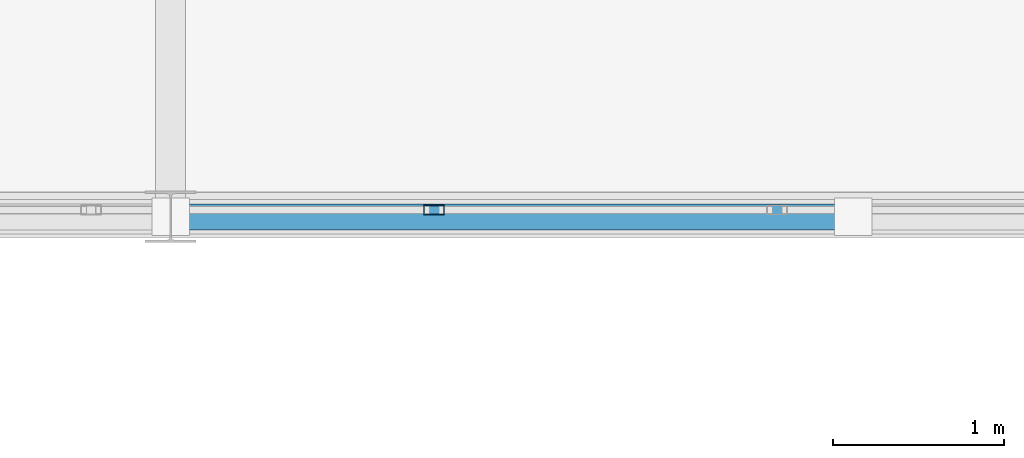
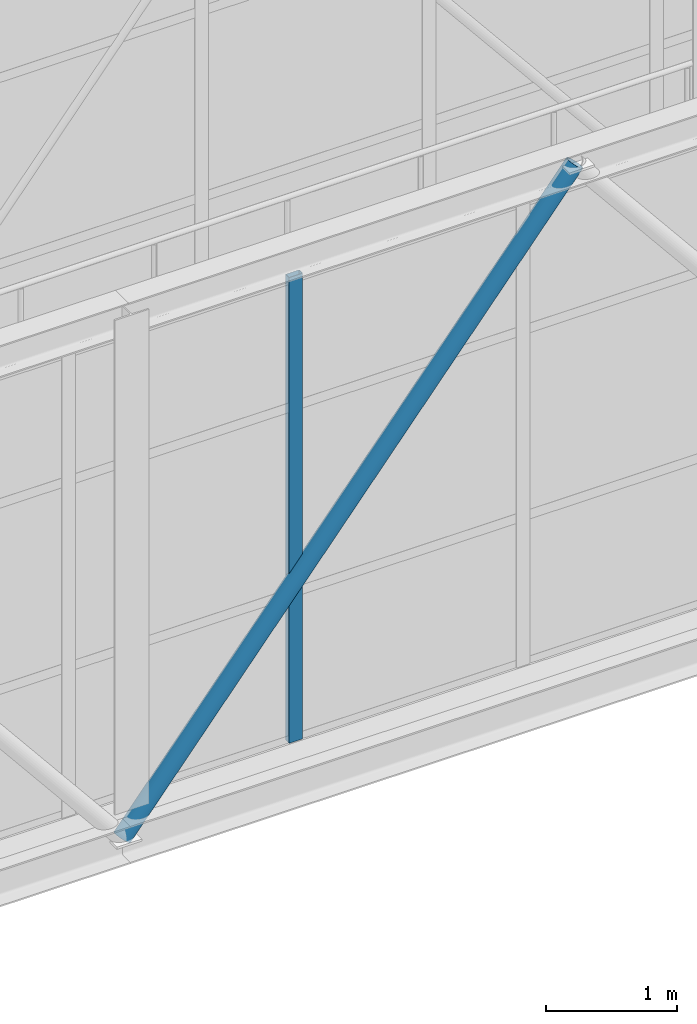
# One storey, part 91 of 248: 2 members, 1 element without a shape of its own.
"""IFC4 building model written with IfcOpenShell, lengths in metres."""

from ifc_helpers import new_model, si_unit, direction, frame, origin, origin_2d, place, context, subcontext, project, spatial, hollow_rectangle, hollow_circle, extrude, material, layer, layer_set, material_profile, profile_set, type_object, element, aggregate, save


model = new_model("IFC4")

# Units and contexts
model_context = context("Model", 3, precision=1e-05, world=origin(), true_north=direction((0.0, 1.0)))
body_context = subcontext(model_context, "Body", "Model", "MODEL_VIEW")
ifc_project = project(units=[si_unit("LENGTHUNIT", "METRE"), si_unit("AREAUNIT", "SQUARE_METRE"), si_unit("VOLUMEUNIT", "CUBIC_METRE"), si_unit("PLANEANGLEUNIT", "RADIAN"), si_unit("MASSUNIT", "GRAM", prefix="KILO")], contexts=[model_context])

# Site, building, storey
site_placement = place(None, origin())
site = spatial("IfcSite", under=ifc_project, at=site_placement, CompositionType="ELEMENT")
building_placement = place(site_placement, origin())
building = spatial("IfcBuilding", under=site, at=building_placement, Name="Canggui Botanical Conservatory", CompositionType="ELEMENT")
storey_placement = place(building_placement, frame((0.0, 0.0, 5.39990234375)))
storey = spatial("IfcBuildingStorey", under=building, at=storey_placement, Name="L02", CompositionType="ELEMENT", Elevation=5.39990234375)

# Curtain wall, member
ifc_material_1 = material(Name="Thermally Broken Aluminium", Category="aluminium")
ifc_layer = layer(ifc_material_1, 0.1201171875, Name="Thermally Broken Aluminium", Category="aluminium")
ifc_layer_set = layer_set([ifc_layer], Name="Thermally Broken Aluminium")
curtain_wall_type = type_object("IfcCurtainWallType", Name="CW-STICK-B", PredefinedType="USERDEFINED", material=ifc_layer_set)
curtain_wall_placement = place(storey_placement, origin())
curtain_wall = element("IfcCurtainWall", 1, at=curtain_wall_placement, inside=storey, type_object=curtain_wall_type, Name="Facade Curtain Wall CW-SB-01-1", ObjectType="STICK GLAZED WALL", PredefinedType="USERDEFINED")
ifc_material_profile_1 = material_profile(ifc_material_1, hollow_rectangle(XDim=0.054931640625, YDim=0.1201171875, WallThickness=0.0029296875, at=origin_2d()), Name="CWM 55x120x3")
ifc_profile_set_1 = profile_set([ifc_material_profile_1], Name="Thermally Broken Aluminium")
member_type_1 = type_object("IfcMemberType", Name="CWM-05", PredefinedType="MULLION", material=ifc_profile_set_1)
member_1_placement = place(storey_placement, frame((107.04345703125, 26.0400390625, 0.0), z_axis=(0.0, 0.0, 1.0), x_axis=(0.0, 1.0, 0.0)))
member_1 = element("IfcMember", 2, at=member_1_placement, type_object=member_type_1, Name="CW-05 mullion 21", PredefinedType="MULLION", context=body_context, shape_type="SweptSolid", body=[
    extrude(hollow_rectangle(XDim=0.054931640625, YDim=0.1201171875, WallThickness=0.0029296875, at=origin_2d()), origin(), (0.0, 0.0, 1.0), 4.35009765625),
])
aggregate(curtain_wall, [member_1])

# Member
ifc_material_2 = material(Name="Steel Q355C", Category="steel")
ifc_material_profile_2 = material_profile(ifc_material_2, hollow_circle(Radius=0.075927734375, WallThickness=0.006103515625, at=origin_2d()), Name="CHS 152x6")
ifc_profile_set_2 = profile_set([ifc_material_profile_2], Name="Steel Q355C")
member_type_2 = type_object("IfcMemberType", Name="MEM-GSD04", PredefinedType="RAFTER", material=ifc_profile_set_2)
member_2_placement = place(storey_placement, frame((105.5, 26.0, -0.349853515625), z_axis=(0.632384053133, 0.0, 0.774655026024), x_axis=(0.0, 1.0, 0.0)))
element("IfcMember", 3, at=member_2_placement, inside=storey, type_object=member_type_2, Name="SB-01 Truss Web Rafter 1.6A", PredefinedType="RAFTER", context=body_context, shape_type="SweptSolid", body=[
    extrude(hollow_circle(Radius=0.075927734375, WallThickness=0.006103515625, at=origin_2d()), origin(), (0.0, 0.0, 1.0), 6.3251953125),
])

save(model, "model.ifc")
